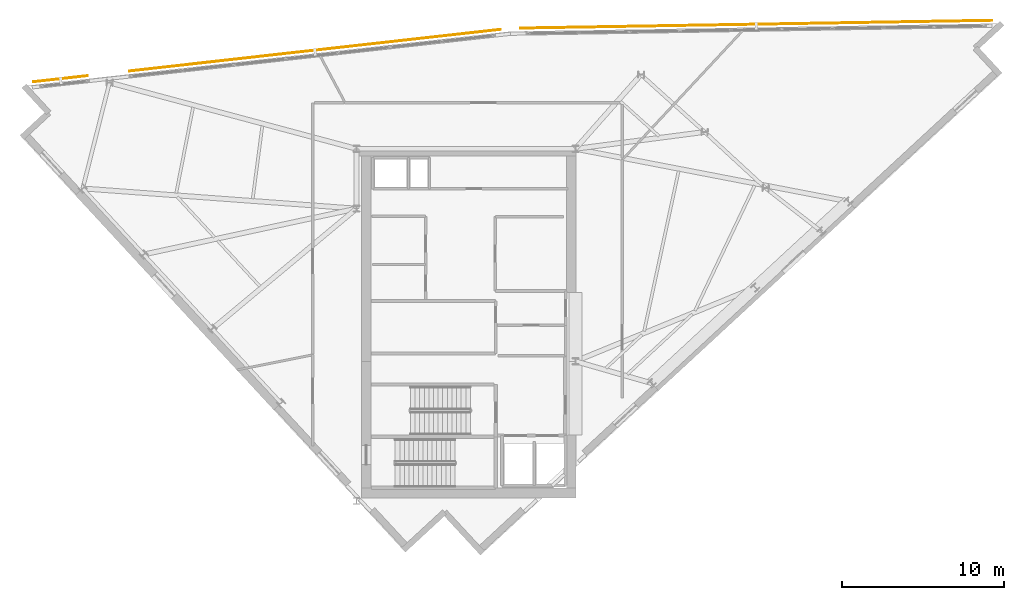
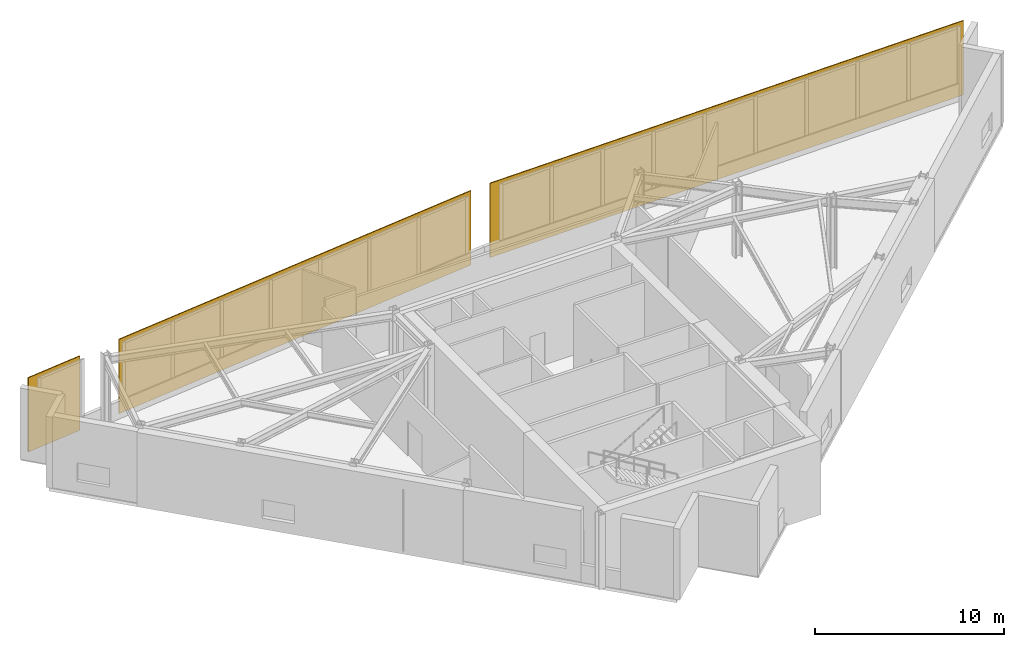
# One storey, part 12 of 12: 3 shading devices.
"""IFC4 building model written with IfcOpenShell, lengths in metres."""

import ifcopenshell
import ifcopenshell.guid

model = None  # the IFC model being written
_history = None  # IfcOwnerHistory: only IFC2X3 demands one
_inside = {}  # id of a spatial element -> (the spatial element, [elements in it])
_under = {}  # id of a project, library or spatial element -> (it, [spatial elements below it])
_declared = {}  # id of a project -> (the project, [libraries it declares])
_typed = {}  # id of a type object -> (the type object, [elements of that type])
_made_of = {}  # id of a material, layer set ... -> (it, [elements and type objects made of it])


def new_model(schema):
    """Start an empty IFC model of exactly this schema.

    Asked for "IFC4X3", IfcOpenShell would pick the latest addendum, in which some entities
    have other attributes; the version numbers below select the first issue.
    IFC2X3 requires an IfcOwnerHistory on every rooted entity: one is made here for all.
    """
    global model, _history
    if schema == "IFC4X3":
        model = ifcopenshell.file(schema_version=(4, 3, 0, 0))
    else:
        model = ifcopenshell.file(schema=schema)
    _inside.clear()
    _under.clear()
    _declared.clear()
    _typed.clear()
    _made_of.clear()
    _history = None
    if model.schema == "IFC2X3":
        org = make("IfcOrganization", Name="unknown")
        user = make(
            "IfcPersonAndOrganization",
            ThePerson=make("IfcPerson", FamilyName="unknown"),
            TheOrganization=org,
        )
        app = make(
            "IfcApplication",
            ApplicationDeveloper=org,
            Version="unknown",
            ApplicationFullName="unknown",
            ApplicationIdentifier="unknown",
        )
        _history = make(
            "IfcOwnerHistory",
            OwningUser=user,
            OwningApplication=app,
            ChangeAction="ADDED",
            CreationDate=0,
        )
    return model


def make(cls, **values):
    """One entity of the class cls with the attributes given. An attribute that is None is left unset."""
    return model.create_entity(
        cls, **{name: value for name, value in values.items() if value is not None}
    )


def rooted(cls, **values):
    """An entity with a GlobalId (a new one), such as an element, a storey or a relation."""
    return make(cls, GlobalId=ifcopenshell.guid.new(), OwnerHistory=_history, **values)


def si_unit(unit_type, name, prefix=None):
    """IfcSIUnit, for example si_unit("LENGTHUNIT", "METRE", prefix="MILLI")."""
    return make("IfcSIUnit", UnitType=unit_type, Prefix=prefix, Name=name)


def assignment(units):
    """IfcUnitAssignment: the units of a project."""
    return None if units is None else make("IfcUnitAssignment", Units=units)


def point(xyz):
    """IfcCartesianPoint."""
    return None if xyz is None else make("IfcCartesianPoint", Coordinates=xyz)


def direction(xyz):
    """IfcDirection."""
    return None if xyz is None else make("IfcDirection", DirectionRatios=xyz)


def frame(location, z_axis=None, x_axis=None):
    """IfcAxis2Placement3D, a coordinate frame: its origin and axes. An axis left out is left unset."""
    return make(
        "IfcAxis2Placement3D",
        Location=point(location),
        Axis=direction(z_axis),
        RefDirection=direction(x_axis),
    )


def frame_2d(location, x_axis=None):
    """IfcAxis2Placement2D, a coordinate frame in the plane: its origin and x axis."""
    return make(
        "IfcAxis2Placement2D", Location=point(location), RefDirection=direction(x_axis)
    )


def origin():
    """The frame at (0, 0, 0) with its axes left unset."""
    return frame((0.0, 0.0, 0.0))


def origin_2d():
    """The frame at (0, 0) in the plane with its x axis left unset."""
    return frame_2d((0.0, 0.0))


def place(relative_to, where):
    """IfcLocalPlacement: puts the frame where relative to a parent placement (None: the world)."""
    return make(
        "IfcLocalPlacement", PlacementRelTo=relative_to, RelativePlacement=where
    )


def context(
    kind, dimensions, precision=None, world=None, true_north=None, identifier=None
):
    """IfcGeometricRepresentationContext, for example the 3D "Model" context."""
    return make(
        "IfcGeometricRepresentationContext",
        ContextIdentifier=identifier,
        ContextType=kind,
        CoordinateSpaceDimension=dimensions,
        Precision=precision,
        WorldCoordinateSystem=world,
        TrueNorth=true_north,
    )


def subcontext(parent, identifier, kind, view, scale=None):
    """IfcGeometricRepresentationSubContext, for example "Body" below "Model"."""
    return make(
        "IfcGeometricRepresentationSubContext",
        ContextIdentifier=identifier,
        ContextType=kind,
        ParentContext=parent,
        TargetScale=scale,
        TargetView=view,
    )


def project(units=None, contexts=None):
    """IfcProject with its units and contexts."""
    return rooted(
        "IfcProject",
        Name="project",
        RepresentationContexts=contexts,
        UnitsInContext=assignment(units),
    )


def spatial(cls, under=None, at=None, **own):
    """A site, building, storey or space (cls), placed at a placement, below another one or the project."""
    s = rooted(cls, ObjectPlacement=at, **own)
    if under is not None:
        _under.setdefault(under.id(), (under, []))[1].append(s)
    return s


def profile(cls, at=None, kind="AREA", **sizes):
    """A parametric profile (cls). Its sizes go by their IFC names, for example OverallWidth=200.0."""
    return make(cls, ProfileType=kind, Position=at, **sizes)


def rectangle(**sizes):
    """IfcRectangleProfileDef."""
    return profile("IfcRectangleProfileDef", **sizes)


def extrude(swept, where, along, depth):
    """IfcExtrudedAreaSolid: the profile swept, set in the frame where, extruded along a direction by depth."""
    return make(
        "IfcExtrudedAreaSolid",
        SweptArea=swept,
        Position=where,
        ExtrudedDirection=direction(along),
        Depth=depth,
    )


def shape(context_of_items, identifier, shape_type, items):
    """IfcShapeRepresentation: the items that make up one representation, for example the "Body"."""
    return make(
        "IfcShapeRepresentation",
        ContextOfItems=context_of_items,
        RepresentationIdentifier=identifier,
        RepresentationType=shape_type,
        Items=items,
    )


def material(Name=None, Category=None):
    """IfcMaterial."""
    return make("IfcMaterial", Name=Name, Category=Category)


def layer(
    of_material, thickness, ventilated=None, Name=None, Category=None, Priority=None
):
    """IfcMaterialLayer: one layer of a wall or slab, of a material (None: an air gap)."""
    return make(
        "IfcMaterialLayer",
        Material=of_material,
        LayerThickness=thickness,
        IsVentilated=ventilated,
        Name=Name,
        Category=Category,
        Priority=Priority,
    )


def layer_set(layers, Name=None):
    """IfcMaterialLayerSet."""
    return make("IfcMaterialLayerSet", MaterialLayers=layers, LayerSetName=Name)


def made_of(thing, what):
    """Note that an element or type object is made of a material, layer set ...; save() writes the relation."""
    if what is not None:
        _made_of.setdefault(what.id(), (what, []))[1].append(thing)
    return thing


def type_object(cls, material=None, **own):
    """A type object (cls), such as IfcWallType, which elements share."""
    return made_of(rooted(cls, **own), material)


def element(
    cls,
    number,
    at=None,
    inside=None,
    cuts=None,
    type_object=None,
    material=None,
    context=None,
    identifier="Body",
    shape_type=None,
    held_by="IfcProductDefinitionShape",
    body=None,
    shapes=None,
    **own,
):
    """One element of the class cls, such as IfcWall. Its Tag is "e" and its number.

    at: its placement. inside: the storey or other place that contains it. cuts: it is an
    opening in that element (IfcRelVoidsElement). A single representation is given by context,
    identifier, shape_type and body (its items); several are given by shapes. held_by: the class
    of the entity that holds the representations. save() writes the other relations.
    """
    e = rooted(cls, Tag="e%d" % number, ObjectPlacement=at, **own)
    if body is not None:
        shapes = [shape(context, identifier, shape_type, body)]
    if shapes is not None:
        e.Representation = make(held_by, Representations=shapes)
    if inside is not None:
        _inside.setdefault(inside.id(), (inside, []))[1].append(e)
    if cuts is not None:
        rooted(
            "IfcRelVoidsElement", RelatingBuildingElement=cuts, RelatedOpeningElement=e
        )
    if type_object is not None:
        _typed.setdefault(type_object.id(), (type_object, []))[1].append(e)
    return made_of(e, material)


def aggregate(whole, parts):
    """IfcRelAggregates: a whole, such as a stair, and the parts it consists of."""
    return rooted("IfcRelAggregates", RelatingObject=whole, RelatedObjects=parts)


def save(model, path):
    """Write the relations noted so far, then the file.

    IfcRelAggregates (storeys below a building ...), IfcRelContainedInSpatialStructure (elements
    in a storey), IfcRelDefinesByType, IfcRelAssociatesMaterial and IfcRelDeclares: one each for
    every whole, place, type object, material and project.
    """
    for whole, parts in _under.values():
        aggregate(whole, parts)
    for where, things in _inside.values():
        rooted(
            "IfcRelContainedInSpatialStructure",
            RelatedElements=things,
            RelatingStructure=where,
        )
    for kind, things in _typed.values():
        rooted("IfcRelDefinesByType", RelatedObjects=things, RelatingType=kind)
    for what, things in _made_of.values():
        rooted("IfcRelAssociatesMaterial", RelatedObjects=things, RelatingMaterial=what)
    for by, libraries in _declared.values():
        rooted("IfcRelDeclares", RelatingContext=by, RelatedDefinitions=libraries)
    model.write(path)


model = new_model("IFC4")

# Units and contexts
model_context = context("Model", 3, precision=1e-05, world=origin(), true_north=direction((0.0, 1.0)))
body_context = subcontext(model_context, "Body", "Model", "MODEL_VIEW")
ifc_project = project(units=[si_unit("LENGTHUNIT", "METRE"), si_unit("AREAUNIT", "SQUARE_METRE"), si_unit("VOLUMEUNIT", "CUBIC_METRE"), si_unit("PLANEANGLEUNIT", "RADIAN"), si_unit("MASSUNIT", "GRAM", prefix="KILO")], contexts=[model_context])

# Site, building, storey
site_placement = place(None, origin())
site = spatial("IfcSite", under=ifc_project, at=site_placement, CompositionType="ELEMENT")
building_placement = place(site_placement, origin())
building = spatial("IfcBuilding", under=site, at=building_placement, Name="Narakoshi Arena Tower", CompositionType="ELEMENT")
storey_placement = place(building_placement, frame((0.0, 0.0, 298.179931640625)))
storey = spatial("IfcBuildingStorey", under=building, at=storey_placement, Name="L81", CompositionType="ELEMENT", Elevation=298.179931640625)

# Shading devices
ifc_material = material(Name="Perforated bronze ceramic-metal composite")
ifc_layer = layer(ifc_material, 0.06005859375)
ifc_layer_set = layer_set([ifc_layer], Name="Perforated bronze ceramic-metal composite")
shading_device_type = type_object("IfcShadingDeviceType", Name="SHD-SCR-BRZ2", PredefinedType="USERDEFINED", material=ifc_layer_set)
shading_device_1_placement = place(storey_placement, frame((53.687744140625, 60.83203125, 0.0), z_axis=(0.0, 0.0, 1.0), x_axis=(0.993775698738, 0.111399553846, 0.0)))
element("IfcShadingDevice", 1, at=shading_device_1_placement, inside=storey, type_object=shading_device_type, Name="L81 Slanted-Cut Crown Bronze Screen 5-1", ObjectType="SOLAR SCREEN", PredefinedType="USERDEFINED", context=body_context, shape_type="SweptSolid", body=[
    extrude(rectangle(XDim=3.399658203125, YDim=0.06005859375, at=origin_2d()), origin(), (0.0, 0.0, 1.0), 4.800048828125),
])
shading_device_2_placement = place(storey_placement, frame((69.426025390625, 62.59619140625, 0.0), z_axis=(0.0, 0.0, 1.0), x_axis=(0.993775698738, 0.111399553846, 0.0)))
element("IfcShadingDevice", 2, at=shading_device_2_placement, inside=storey, type_object=shading_device_type, Name="L81 Slanted-Cut Crown Bronze Screen 5-2", ObjectType="SOLAR SCREEN", PredefinedType="USERDEFINED", context=body_context, shape_type="SweptSolid", body=[
    extrude(rectangle(XDim=23.134521484375, YDim=0.06005859375, at=origin_2d()), origin(), (0.0, 0.0, 1.0), 4.800048828125),
])
shading_device_3_placement = place(storey_placement, frame((96.74462890625, 64.202880859375, 0.0), z_axis=(0.0, 0.0, 1.0), x_axis=(0.999864849778, 0.016440260879, 0.0)))
element("IfcShadingDevice", 3, at=shading_device_3_placement, inside=storey, type_object=shading_device_type, Name="L81 Slanted-Cut Crown Bronze Screen 6-1", ObjectType="SOLAR SCREEN", PredefinedType="USERDEFINED", context=body_context, shape_type="SweptSolid", body=[
    extrude(rectangle(XDim=29.22216796875, YDim=0.06005859375, at=origin_2d()), origin(), (0.0, 0.0, 1.0), 4.800048828125),
])

save(model, "model.ifc")
